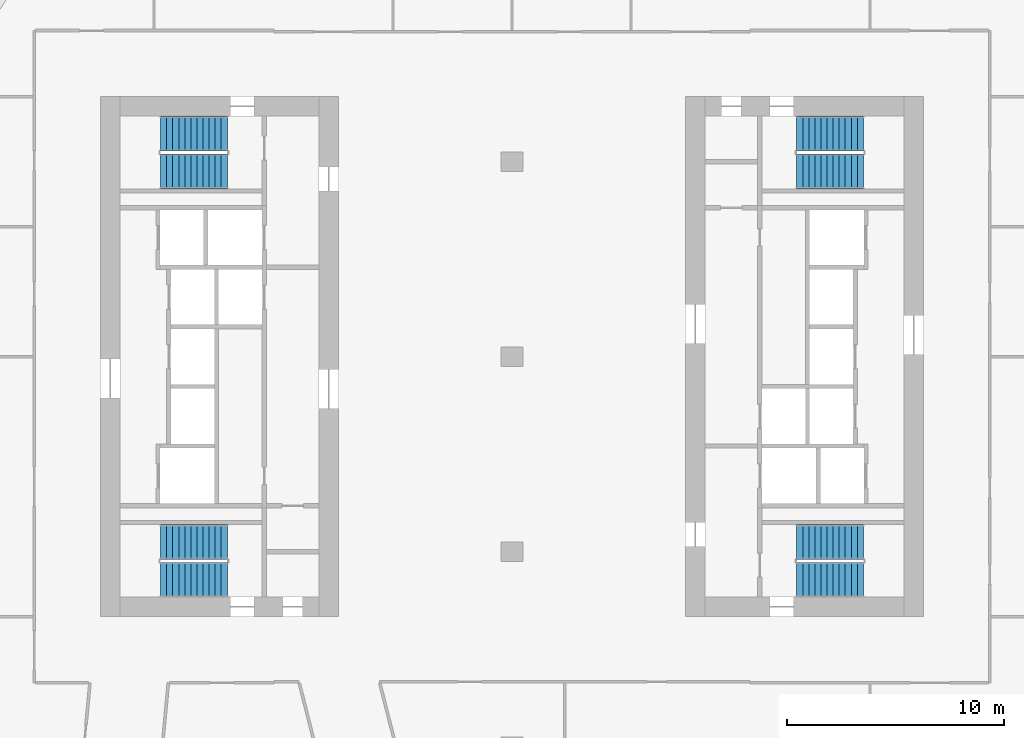
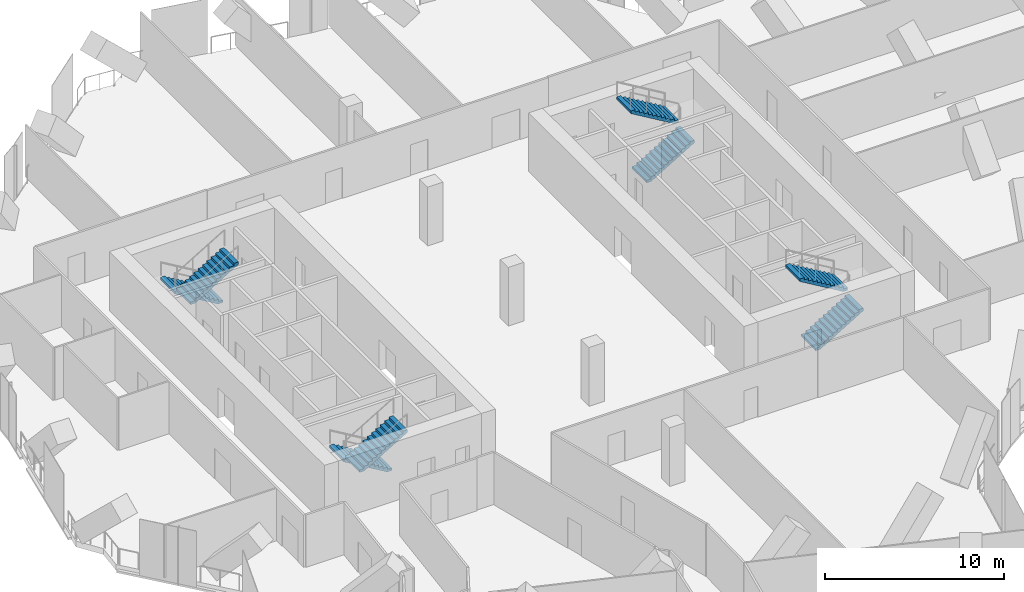
# One storey, part 24 of 28: 8 stair flights, 4 elements without a shape of their own.
"""IFC4 building model written with IfcOpenShell, lengths in metres."""

from ifc_helpers import new_model, si_unit, direction, frame, origin, place, context, subcontext, project, spatial, polyline, outline, extrude, material, type_object, element, aggregate, save


model = new_model("IFC4")

# Units and contexts
model_context = context("Model", 3, precision=1e-05, world=origin(), true_north=direction((0.0, 1.0)))
body_context = subcontext(model_context, "Body", "Model", "MODEL_VIEW")
ifc_project = project(units=[si_unit("LENGTHUNIT", "METRE"), si_unit("AREAUNIT", "SQUARE_METRE"), si_unit("VOLUMEUNIT", "CUBIC_METRE"), si_unit("PLANEANGLEUNIT", "RADIAN"), si_unit("MASSUNIT", "GRAM", prefix="KILO")], contexts=[model_context])

# Site, building, storey
site_placement = place(None, origin())
site = spatial("IfcSite", under=ifc_project, at=site_placement, CompositionType="ELEMENT")
building_placement = place(site_placement, origin())
building = spatial("IfcBuilding", under=site, at=building_placement, Name="Orlundy Tower", CompositionType="ELEMENT")
storey_placement = place(building_placement, frame((0.0, 0.0, 163.10009765625)))
storey = spatial("IfcBuildingStorey", under=building, at=storey_placement, Name="L42", CompositionType="ELEMENT", Elevation=163.10009765625)

# Stair, stair flights
ifc_material_1 = material(Name="Concrete C50/60", Category="concrete")
stair_type = type_object("IfcStairType", Name="Exit Stair 24 risers", PredefinedType="HALF_TURN_STAIR", material=ifc_material_1)
stair_1_placement = place(storey_placement, origin())
stair_1 = element("IfcStair", 1, at=stair_1_placement, inside=storey, type_object=stair_type, Name="L42 Exit Stair ST-W1", PredefinedType="HALF_TURN_STAIR")
ifc_material_2 = material(Name="Concrete C50/60", Category="concrete")
stair_flight_type = type_object("IfcStairFlightType", Name="Stair Flight 12 risers", PredefinedType="STRAIGHT", material=ifc_material_2)
stair_flight_1_placement = place(storey_placement, frame((-13.139892578125, 10.300048828125, 0.0), z_axis=(0.0, 0.0, 1.0), x_axis=(-1.0, 0.0, 0.0)))
stair_flight_1 = element("IfcStairFlight", 2, at=stair_flight_1_placement, type_object=stair_flight_type, Name="ST-W1 flight 1", NumberOfRisers=12, NumberOfTreads=11, PredefinedType="STRAIGHT", RiserHeight=0.166666667, TreadLength=0.28, context=body_context, shape_type="SweptSolid", body=[
    extrude(outline(polyline([(0.0, 0.0), (0.0, 0.166748046875), (0.280029296875, 0.166748046875), (0.280029296875, 0.333251953125), (0.56005859375, 0.333251953125), (0.56005859375, 0.5), (0.840087890625, 0.5), (0.840087890625, 0.666748046875), (1.1201171875, 0.666748046875), (1.1201171875, 0.833251953125), (1.39990234375, 0.833251953125), (1.39990234375, 1.0), (1.679931640625, 1.0), (1.679931640625, 1.166748046875), (1.9599609375, 1.166748046875), (1.9599609375, 1.333251953125), (2.239990234375, 1.333251953125), (2.239990234375, 1.5), (2.52001953125, 1.5), (2.52001953125, 1.666748046875), (2.800048828125, 1.666748046875), (2.800048828125, 1.833251953125), (3.080078125, 1.833251953125), (3.080078125, 2.0), (3.080078125, 1.658935546875), (0.29296875, 0.0), (0.0, 0.0)])), frame((0.0, 0.800048828125, 0.0), z_axis=(0.0, -1.0, 0.0), x_axis=(1.0, 0.0, 0.0)), (0.0, 0.0, 1.0), 1.60009765625),
])
stair_flight_2_placement = place(storey_placement, frame((-16.219970703125, 8.550048828125, 2.0), z_axis=(0.0, 0.0, 1.0), x_axis=(1.0, 0.0, 0.0)))
stair_flight_2 = element("IfcStairFlight", 3, at=stair_flight_2_placement, type_object=stair_flight_type, Name="ST-W1 flight 2", NumberOfRisers=12, NumberOfTreads=11, PredefinedType="STRAIGHT", RiserHeight=0.166666667, TreadLength=0.28, context=body_context, shape_type="SweptSolid", body=[
    extrude(outline(polyline([(0.0, 0.0), (0.0, 0.166748046875), (0.280029296875, 0.166748046875), (0.280029296875, 0.333251953125), (0.56005859375, 0.333251953125), (0.56005859375, 0.5), (0.840087890625, 0.5), (0.840087890625, 0.666748046875), (1.1201171875, 0.666748046875), (1.1201171875, 0.833251953125), (1.39990234375, 0.833251953125), (1.39990234375, 1.0), (1.679931640625, 1.0), (1.679931640625, 1.166748046875), (1.9599609375, 1.166748046875), (1.9599609375, 1.333251953125), (2.239990234375, 1.333251953125), (2.239990234375, 1.5), (2.52001953125, 1.5), (2.52001953125, 1.666748046875), (2.800048828125, 1.666748046875), (2.800048828125, 1.833251953125), (3.080078125, 1.833251953125), (3.080078125, 2.0), (3.080078125, 1.658935546875), (0.29296875, 0.0), (0.0, 0.0)])), frame((0.0, 0.800048828125, 0.0), z_axis=(0.0, -1.0, 0.0), x_axis=(1.0, 0.0, 0.0)), (0.0, 0.0, 1.0), 1.60009765625),
])
aggregate(stair_1, [stair_flight_1, stair_flight_2])

stair_2_placement = place(storey_placement, origin())
stair_2 = element("IfcStair", 4, at=stair_2_placement, inside=storey, type_object=stair_type, Name="L42 Exit Stair ST-W2", PredefinedType="HALF_TURN_STAIR")
stair_flight_3_placement = place(storey_placement, frame((-13.139892578125, -8.550048828125, 0.0), z_axis=(0.0, 0.0, 1.0), x_axis=(-1.0, 0.0, 0.0)))
stair_flight_3 = element("IfcStairFlight", 5, at=stair_flight_3_placement, type_object=stair_flight_type, Name="ST-W2 flight 1", NumberOfRisers=12, NumberOfTreads=11, PredefinedType="STRAIGHT", RiserHeight=0.166666667, TreadLength=0.28, context=body_context, shape_type="SweptSolid", body=[
    extrude(outline(polyline([(0.0, 0.0), (0.0, 0.166748046875), (0.280029296875, 0.166748046875), (0.280029296875, 0.333251953125), (0.56005859375, 0.333251953125), (0.56005859375, 0.5), (0.840087890625, 0.5), (0.840087890625, 0.666748046875), (1.1201171875, 0.666748046875), (1.1201171875, 0.833251953125), (1.39990234375, 0.833251953125), (1.39990234375, 1.0), (1.679931640625, 1.0), (1.679931640625, 1.166748046875), (1.9599609375, 1.166748046875), (1.9599609375, 1.333251953125), (2.239990234375, 1.333251953125), (2.239990234375, 1.5), (2.52001953125, 1.5), (2.52001953125, 1.666748046875), (2.800048828125, 1.666748046875), (2.800048828125, 1.833251953125), (3.080078125, 1.833251953125), (3.080078125, 2.0), (3.080078125, 1.658935546875), (0.29296875, 0.0), (0.0, 0.0)])), frame((0.0, 0.800048828125, 0.0), z_axis=(0.0, -1.0, 0.0), x_axis=(1.0, 0.0, 0.0)), (0.0, 0.0, 1.0), 1.60009765625),
])
stair_flight_4_placement = place(storey_placement, frame((-16.219970703125, -10.300048828125, 2.0), z_axis=(0.0, 0.0, 1.0), x_axis=(1.0, 0.0, 0.0)))
stair_flight_4 = element("IfcStairFlight", 6, at=stair_flight_4_placement, type_object=stair_flight_type, Name="ST-W2 flight 2", NumberOfRisers=12, NumberOfTreads=11, PredefinedType="STRAIGHT", RiserHeight=0.166666667, TreadLength=0.28, context=body_context, shape_type="SweptSolid", body=[
    extrude(outline(polyline([(0.0, 0.0), (0.0, 0.166748046875), (0.280029296875, 0.166748046875), (0.280029296875, 0.333251953125), (0.56005859375, 0.333251953125), (0.56005859375, 0.5), (0.840087890625, 0.5), (0.840087890625, 0.666748046875), (1.1201171875, 0.666748046875), (1.1201171875, 0.833251953125), (1.39990234375, 0.833251953125), (1.39990234375, 1.0), (1.679931640625, 1.0), (1.679931640625, 1.166748046875), (1.9599609375, 1.166748046875), (1.9599609375, 1.333251953125), (2.239990234375, 1.333251953125), (2.239990234375, 1.5), (2.52001953125, 1.5), (2.52001953125, 1.666748046875), (2.800048828125, 1.666748046875), (2.800048828125, 1.833251953125), (3.080078125, 1.833251953125), (3.080078125, 2.0), (3.080078125, 1.658935546875), (0.29296875, 0.0), (0.0, 0.0)])), frame((0.0, 0.800048828125, 0.0), z_axis=(0.0, -1.0, 0.0), x_axis=(1.0, 0.0, 0.0)), (0.0, 0.0, 1.0), 1.60009765625),
])
aggregate(stair_2, [stair_flight_3, stair_flight_4])

stair_3_placement = place(storey_placement, origin())
stair_3 = element("IfcStair", 7, at=stair_3_placement, inside=storey, type_object=stair_type, Name="L42 Exit Stair ST-E1", PredefinedType="HALF_TURN_STAIR")
stair_flight_5_placement = place(storey_placement, frame((13.139892578125, -10.300048828125, 0.0), z_axis=(0.0, 0.0, 1.0), x_axis=(1.0, 0.0, 0.0)))
stair_flight_5 = element("IfcStairFlight", 8, at=stair_flight_5_placement, type_object=stair_flight_type, Name="ST-E1 flight 1", NumberOfRisers=12, NumberOfTreads=11, PredefinedType="STRAIGHT", RiserHeight=0.166666667, TreadLength=0.28, context=body_context, shape_type="SweptSolid", body=[
    extrude(outline(polyline([(0.0, 0.0), (0.0, 0.166748046875), (0.280029296875, 0.166748046875), (0.280029296875, 0.333251953125), (0.56005859375, 0.333251953125), (0.56005859375, 0.5), (0.840087890625, 0.5), (0.840087890625, 0.666748046875), (1.1201171875, 0.666748046875), (1.1201171875, 0.833251953125), (1.39990234375, 0.833251953125), (1.39990234375, 1.0), (1.679931640625, 1.0), (1.679931640625, 1.166748046875), (1.9599609375, 1.166748046875), (1.9599609375, 1.333251953125), (2.239990234375, 1.333251953125), (2.239990234375, 1.5), (2.52001953125, 1.5), (2.52001953125, 1.666748046875), (2.800048828125, 1.666748046875), (2.800048828125, 1.833251953125), (3.080078125, 1.833251953125), (3.080078125, 2.0), (3.080078125, 1.658935546875), (0.29296875, 0.0), (0.0, 0.0)])), frame((0.0, 0.800048828125, 0.0), z_axis=(0.0, -1.0, 0.0), x_axis=(1.0, 0.0, 0.0)), (0.0, 0.0, 1.0), 1.60009765625),
])
stair_flight_6_placement = place(storey_placement, frame((16.219970703125, -8.550048828125, 2.0), z_axis=(0.0, 0.0, 1.0), x_axis=(-1.0, 0.0, 0.0)))
stair_flight_6 = element("IfcStairFlight", 9, at=stair_flight_6_placement, type_object=stair_flight_type, Name="ST-E1 flight 2", NumberOfRisers=12, NumberOfTreads=11, PredefinedType="STRAIGHT", RiserHeight=0.166666667, TreadLength=0.28, context=body_context, shape_type="SweptSolid", body=[
    extrude(outline(polyline([(0.0, 0.0), (0.0, 0.166748046875), (0.280029296875, 0.166748046875), (0.280029296875, 0.333251953125), (0.56005859375, 0.333251953125), (0.56005859375, 0.5), (0.840087890625, 0.5), (0.840087890625, 0.666748046875), (1.1201171875, 0.666748046875), (1.1201171875, 0.833251953125), (1.39990234375, 0.833251953125), (1.39990234375, 1.0), (1.679931640625, 1.0), (1.679931640625, 1.166748046875), (1.9599609375, 1.166748046875), (1.9599609375, 1.333251953125), (2.239990234375, 1.333251953125), (2.239990234375, 1.5), (2.52001953125, 1.5), (2.52001953125, 1.666748046875), (2.800048828125, 1.666748046875), (2.800048828125, 1.833251953125), (3.080078125, 1.833251953125), (3.080078125, 2.0), (3.080078125, 1.658935546875), (0.29296875, 0.0), (0.0, 0.0)])), frame((0.0, 0.800048828125, 0.0), z_axis=(0.0, -1.0, 0.0), x_axis=(1.0, 0.0, 0.0)), (0.0, 0.0, 1.0), 1.60009765625),
])
aggregate(stair_3, [stair_flight_5, stair_flight_6])

stair_4_placement = place(storey_placement, origin())
stair_4 = element("IfcStair", 10, at=stair_4_placement, inside=storey, type_object=stair_type, Name="L42 Exit Stair ST-E2", PredefinedType="HALF_TURN_STAIR")
stair_flight_7_placement = place(storey_placement, frame((13.139892578125, 8.550048828125, 0.0), z_axis=(0.0, 0.0, 1.0), x_axis=(1.0, 0.0, 0.0)))
stair_flight_7 = element("IfcStairFlight", 11, at=stair_flight_7_placement, type_object=stair_flight_type, Name="ST-E2 flight 1", NumberOfRisers=12, NumberOfTreads=11, PredefinedType="STRAIGHT", RiserHeight=0.166666667, TreadLength=0.28, context=body_context, shape_type="SweptSolid", body=[
    extrude(outline(polyline([(0.0, 0.0), (0.0, 0.166748046875), (0.280029296875, 0.166748046875), (0.280029296875, 0.333251953125), (0.56005859375, 0.333251953125), (0.56005859375, 0.5), (0.840087890625, 0.5), (0.840087890625, 0.666748046875), (1.1201171875, 0.666748046875), (1.1201171875, 0.833251953125), (1.39990234375, 0.833251953125), (1.39990234375, 1.0), (1.679931640625, 1.0), (1.679931640625, 1.166748046875), (1.9599609375, 1.166748046875), (1.9599609375, 1.333251953125), (2.239990234375, 1.333251953125), (2.239990234375, 1.5), (2.52001953125, 1.5), (2.52001953125, 1.666748046875), (2.800048828125, 1.666748046875), (2.800048828125, 1.833251953125), (3.080078125, 1.833251953125), (3.080078125, 2.0), (3.080078125, 1.658935546875), (0.29296875, 0.0), (0.0, 0.0)])), frame((0.0, 0.800048828125, 0.0), z_axis=(0.0, -1.0, 0.0), x_axis=(1.0, 0.0, 0.0)), (0.0, 0.0, 1.0), 1.60009765625),
])
stair_flight_8_placement = place(storey_placement, frame((16.219970703125, 10.300048828125, 2.0), z_axis=(0.0, 0.0, 1.0), x_axis=(-1.0, 0.0, 0.0)))
stair_flight_8 = element("IfcStairFlight", 12, at=stair_flight_8_placement, type_object=stair_flight_type, Name="ST-E2 flight 2", NumberOfRisers=12, NumberOfTreads=11, PredefinedType="STRAIGHT", RiserHeight=0.166666667, TreadLength=0.28, context=body_context, shape_type="SweptSolid", body=[
    extrude(outline(polyline([(0.0, 0.0), (0.0, 0.166748046875), (0.280029296875, 0.166748046875), (0.280029296875, 0.333251953125), (0.56005859375, 0.333251953125), (0.56005859375, 0.5), (0.840087890625, 0.5), (0.840087890625, 0.666748046875), (1.1201171875, 0.666748046875), (1.1201171875, 0.833251953125), (1.39990234375, 0.833251953125), (1.39990234375, 1.0), (1.679931640625, 1.0), (1.679931640625, 1.166748046875), (1.9599609375, 1.166748046875), (1.9599609375, 1.333251953125), (2.239990234375, 1.333251953125), (2.239990234375, 1.5), (2.52001953125, 1.5), (2.52001953125, 1.666748046875), (2.800048828125, 1.666748046875), (2.800048828125, 1.833251953125), (3.080078125, 1.833251953125), (3.080078125, 2.0), (3.080078125, 1.658935546875), (0.29296875, 0.0), (0.0, 0.0)])), frame((0.0, 0.800048828125, 0.0), z_axis=(0.0, -1.0, 0.0), x_axis=(1.0, 0.0, 0.0)), (0.0, 0.0, 1.0), 1.60009765625),
])
aggregate(stair_4, [stair_flight_7, stair_flight_8])

save(model, "model.ifc")
